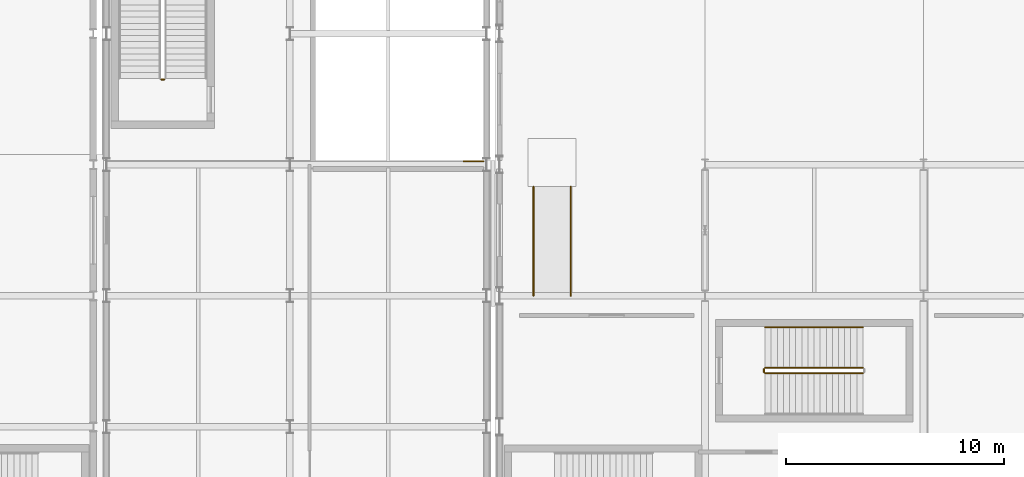
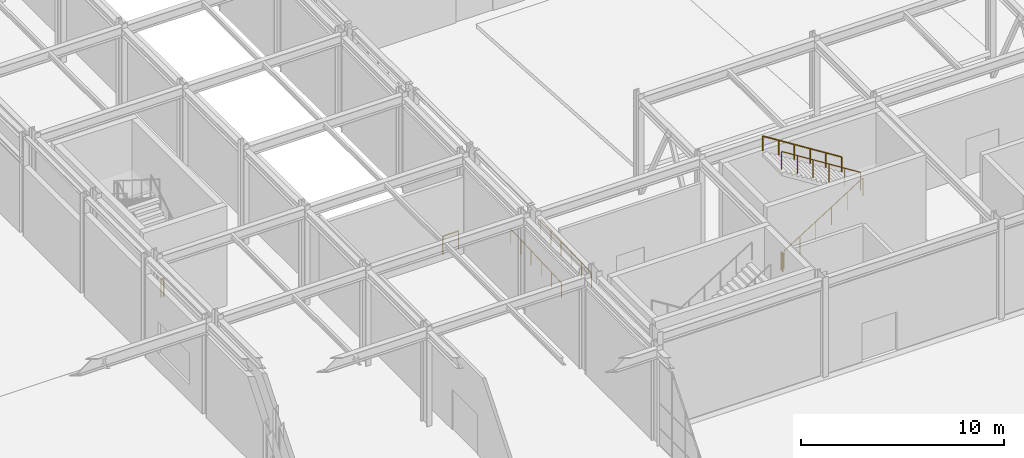
# One storey, part 143 of 146: 8 railings.
"""IFC4 building model written with IfcOpenShell, lengths in metres."""

from ifc_helpers import new_model, si_unit, direction, frame, origin, origin_2d, place, context, subcontext, project, spatial, circle, extrude, material, type_object, element, save


model = new_model("IFC4")

# Units and contexts
model_context = context("Model", 3, precision=1e-05, world=origin(), true_north=direction((0.0, 1.0)))
body_context = subcontext(model_context, "Body", "Model", "MODEL_VIEW")
ifc_project = project(units=[si_unit("LENGTHUNIT", "METRE"), si_unit("AREAUNIT", "SQUARE_METRE"), si_unit("VOLUMEUNIT", "CUBIC_METRE"), si_unit("PLANEANGLEUNIT", "RADIAN"), si_unit("MASSUNIT", "GRAM", prefix="KILO")], contexts=[model_context])

# Site, building, storey
site_placement = place(None, origin())
site = spatial("IfcSite", under=ifc_project, at=site_placement, CompositionType="ELEMENT")
building_placement = place(site_placement, origin())
building = spatial("IfcBuilding", under=site, at=building_placement, Name="Kaldris Quays Convention Centre", CompositionType="ELEMENT")
storey_placement = place(building_placement, origin())
storey = spatial("IfcBuildingStorey", under=building, at=storey_placement, Name="L00", CompositionType="ELEMENT", Elevation=0.0)

# Railings
ifc_material_1 = material(Name="Steel S355J2", Category="steel")
railing_type_1 = type_object("IfcRailingType", Name="INTERIOR GUARDRAIL GR01", PredefinedType="GUARDRAIL", material=ifc_material_1)
railing_1_placement = place(storey_placement, frame((176.75, 64.449951171875, 0.176513671875)))
element("IfcRailing", 1, at=railing_1_placement, inside=storey, type_object=railing_type_1, Name="L00 ST10 Stair Guardrail 1", PredefinedType="GUARDRAIL", context=body_context, shape_type="SweptSolid", body=[
    extrude(circle(Radius=0.02392578125, at=origin_2d()), frame((0.0, 0.0, 1.076171875), z_axis=(0.845997938375, 0.0, 0.533186166611), x_axis=(0.0, 1.0, 0.0)), (0.0, 0.0, 1.0), 5.29541015625),
    extrude(circle(Radius=0.02099609375, at=origin_2d()), origin(), (0.0, 0.0, 1.0), 1.052001953125),
    extrude(circle(Radius=0.02099609375, at=origin_2d()), frame((0.89599609375, 0.0, 0.564697265625)), (0.0, 0.0, 1.0), 1.052001953125),
    extrude(circle(Radius=0.02099609375, at=origin_2d()), frame((1.7919921875, 0.0, 1.12939453125)), (0.0, 0.0, 1.0), 1.052001953125),
    extrude(circle(Radius=0.02099609375, at=origin_2d()), frame((2.68798828125, 0.0, 1.694091796875)), (0.0, 0.0, 1.0), 1.052001953125),
    extrude(circle(Radius=0.02099609375, at=origin_2d()), frame((3.583984375, 0.0, 2.2587890625)), (0.0, 0.0, 1.0), 1.052001953125),
    extrude(circle(Radius=0.02099609375, at=origin_2d()), frame((4.47998046875, 0.0, 2.823486328125)), (0.0, 0.0, 1.0), 1.052001953125),
])
railing_2_placement = place(storey_placement, frame((181.22998046875, 64.699951171875, 3.176513671875)))
element("IfcRailing", 2, at=railing_2_placement, inside=storey, type_object=railing_type_1, Name="L00 ST10 Stair Guardrail 3", PredefinedType="GUARDRAIL", context=body_context, shape_type="SweptSolid", body=[
    extrude(circle(Radius=0.02392578125, at=origin_2d()), frame((0.0, 0.0, 1.076171875), z_axis=(-0.845997938375, 0.0, 0.533186166611), x_axis=(0.0, -1.0, 0.0)), (0.0, 0.0, 1.0), 5.29541015625),
    extrude(circle(Radius=0.02099609375, at=origin_2d()), origin(), (0.0, 0.0, 1.0), 1.052001953125),
    extrude(circle(Radius=0.02099609375, at=origin_2d()), frame((-0.89599609375, 0.0, 0.564697265625)), (0.0, 0.0, 1.0), 1.052001953125),
    extrude(circle(Radius=0.02099609375, at=origin_2d()), frame((-1.7919921875, 0.0, 1.12939453125)), (0.0, 0.0, 1.0), 1.052001953125),
    extrude(circle(Radius=0.02099609375, at=origin_2d()), frame((-2.68798828125, 0.0, 1.694091796875)), (0.0, 0.0, 1.0), 1.052001953125),
    extrude(circle(Radius=0.02099609375, at=origin_2d()), frame((-3.583984375, 0.0, 2.2587890625)), (0.0, 0.0, 1.0), 1.052001953125),
    extrude(circle(Radius=0.02099609375, at=origin_2d()), frame((-4.47998046875, 0.0, 2.823486328125)), (0.0, 0.0, 1.0), 1.052001953125),
])
railing_3_placement = place(storey_placement, frame((176.699951171875, 64.5, 0.0)))
element("IfcRailing", 3, at=railing_3_placement, inside=storey, type_object=railing_type_1, Name="L00 ST10 Stair Guardrail 4", PredefinedType="GUARDRAIL", context=body_context, shape_type="SweptSolid", body=[
    extrude(circle(Radius=0.02392578125, at=origin_2d()), frame((0.0, 0.0, 1.076171875), z_axis=(0.0, 1.0, 0.0), x_axis=(-1.0, 0.0, 0.0)), (0.0, 0.0, 1.0), 0.14990234375),
    extrude(circle(Radius=0.02099609375, at=origin_2d()), origin(), (0.0, 0.0, 1.0), 1.052001953125),
    extrude(circle(Radius=0.02099609375, at=origin_2d()), frame((0.0, 0.14990234375, 0.0)), (0.0, 0.0, 1.0), 1.052001953125),
])
railing_4_placement = place(storey_placement, frame((149.25, 77.89990234375, 0.0)))
element("IfcRailing", 4, at=railing_4_placement, inside=storey, type_object=railing_type_1, Name="L00 ST14 Stair Guardrail 4", PredefinedType="GUARDRAIL", context=body_context, shape_type="SweptSolid", body=[
    extrude(circle(Radius=0.02392578125, at=origin_2d()), frame((0.0, 0.0, 1.076171875), z_axis=(-1.0, 0.0, 0.0), x_axis=(0.0, -1.0, 0.0)), (0.0, 0.0, 1.0), 0.14990234375),
    extrude(circle(Radius=0.02099609375, at=origin_2d()), origin(), (0.0, 0.0, 1.0), 1.052001953125),
    extrude(circle(Radius=0.02099609375, at=origin_2d()), frame((-0.14990234375, 0.0, 0.0)), (0.0, 0.0, 1.0), 1.052001953125),
])
railing_5_placement = place(storey_placement, frame((162.9599609375, 74.159912109375, 0.0)))
element("IfcRailing", 5, at=railing_5_placement, inside=storey, type_object=railing_type_1, Name="L00 Vehicle Ramp Safety Guard GR01 3", PredefinedType="GUARDRAIL", context=body_context, shape_type="SweptSolid", body=[
    extrude(circle(Radius=0.02392578125, at=origin_2d()), frame((0.0, 0.0, 1.076171875), z_axis=(1.0, 0.0, 0.0), x_axis=(0.0, 1.0, 0.0)), (0.0, 0.0, 1.0), 0.89013671875),
    extrude(circle(Radius=0.02099609375, at=origin_2d()), origin(), (0.0, 0.0, 1.0), 1.052001953125),
    extrude(circle(Radius=0.02099609375, at=origin_2d()), frame((0.89013671875, 0.0, 0.0)), (0.0, 0.0, 1.0), 1.052001953125),
])
ifc_material_2 = material(Name="Stainless steel 1.4301", Category="steel")
railing_type_2 = type_object("IfcRailingType", Name="STAIR HANDRAIL HR01", PredefinedType="HANDRAIL", material=ifc_material_2)
railing_6_placement = place(storey_placement, frame((181.22998046875, 66.550048828125, 3.176513671875)))
element("IfcRailing", 6, at=railing_6_placement, inside=storey, type_object=railing_type_2, Name="L00 ST10 Flight Handrail 2", PredefinedType="HANDRAIL", context=body_context, shape_type="SweptSolid", body=[
    extrude(circle(Radius=0.02392578125, at=origin_2d()), frame((0.0, 0.0, 0.8759765625), z_axis=(-0.845997938375, 0.0, 0.533186166611), x_axis=(0.0, -1.0, 0.0)), (0.0, 0.0, 1.0), 5.29541015625),
    extrude(circle(Radius=0.02099609375, at=origin_2d()), origin(), (0.0, 0.0, 1.0), 0.851806640625),
    extrude(circle(Radius=0.02099609375, at=origin_2d()), frame((-0.89599609375, 0.0, 0.564697265625)), (0.0, 0.0, 1.0), 0.851806640625),
    extrude(circle(Radius=0.02099609375, at=origin_2d()), frame((-1.7919921875, 0.0, 1.12939453125)), (0.0, 0.0, 1.0), 0.851806640625),
    extrude(circle(Radius=0.02099609375, at=origin_2d()), frame((-2.68798828125, 0.0, 1.694091796875)), (0.0, 0.0, 1.0), 0.851806640625),
    extrude(circle(Radius=0.02099609375, at=origin_2d()), frame((-3.583984375, 0.0, 2.2587890625)), (0.0, 0.0, 1.0), 0.851806640625),
    extrude(circle(Radius=0.02099609375, at=origin_2d()), frame((-4.47998046875, 0.0, 2.823486328125)), (0.0, 0.0, 1.0), 0.851806640625),
])
for number, where, name in (
    (7, (166.14990234375, 68.0, 0.0), "PRMP-3 Accessible Ramp Handrail L"),
    (8, (167.85009765625, 68.0, 0.0), "PRMP-3 Accessible Ramp Handrail R"),
):
    element("IfcRailing", number, at=place(storey_placement, frame(where)), inside=storey, type_object=railing_type_2, Name=name, PredefinedType="HANDRAIL", context=body_context, shape_type="SweptSolid", body=[
        extrude(circle(Radius=0.02392578125, at=origin_2d()), frame((0.0, 0.0, 0.8759765625), z_axis=(0.0, 0.999050720124, 0.043562123685), x_axis=(-1.0, 0.0, 0.0)), (0.0, 0.0, 1.0), 5.004638671875),
        extrude(circle(Radius=0.02099609375, at=origin_2d()), origin(), (0.0, 0.0, 1.0), 0.851806640625),
        extrude(circle(Radius=0.02099609375, at=origin_2d()), frame((0.0, 1.0, 0.043701171875)), (0.0, 0.0, 1.0), 0.851806640625),
        extrude(circle(Radius=0.02099609375, at=origin_2d()), frame((0.0, 2.0, 0.087158203125)), (0.0, 0.0, 1.0), 0.851806640625),
        extrude(circle(Radius=0.02099609375, at=origin_2d()), frame((0.0, 3.0, 0.130859375)), (0.0, 0.0, 1.0), 0.851806640625),
        extrude(circle(Radius=0.02099609375, at=origin_2d()), frame((0.0, 4.0, 0.17431640625)), (0.0, 0.0, 1.0), 0.851806640625),
        extrude(circle(Radius=0.02099609375, at=origin_2d()), frame((0.0, 5.0, 0.218017578125)), (0.0, 0.0, 1.0), 0.851806640625),
    ])

save(model, "model.ifc")
